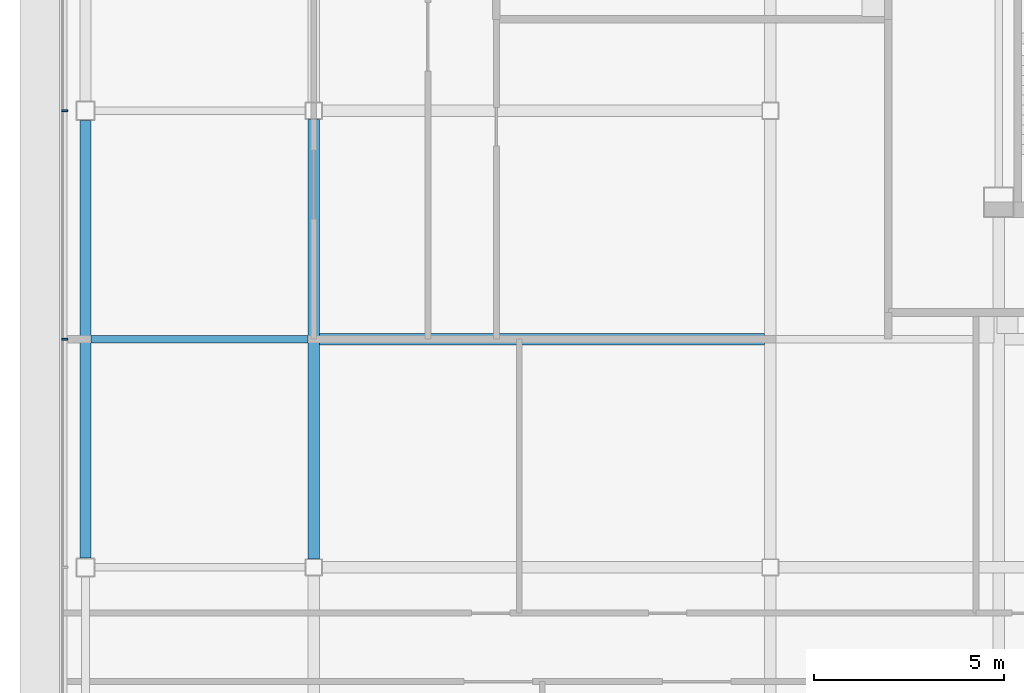
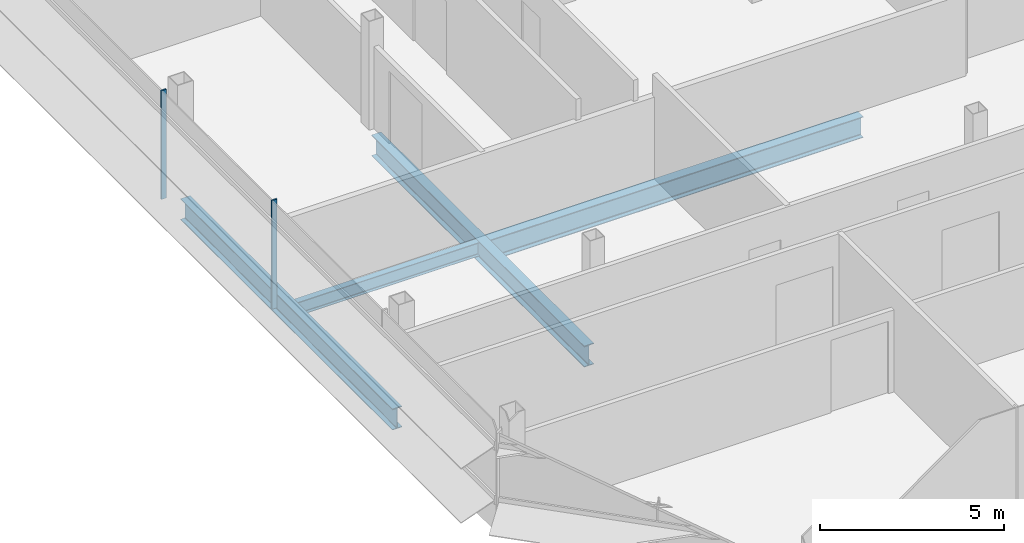
# One storey, part 6 of 27: 4 beams, 2 members, 1 element without a shape of its own.
"""IFC4 building model written with IfcOpenShell, lengths in metres."""

from ifc_helpers import new_model, si_unit, direction, frame, origin, origin_2d, place, context, subcontext, project, spatial, rectangle, i_section, extrude, material, material_profile, profile_set, type_object, element, aggregate, save


model = new_model("IFC4")

# Units and contexts
model_context = context("Model", 3, precision=1e-05, world=origin(), true_north=direction((0.0, 1.0)))
body_context = subcontext(model_context, "Body", "Model", "MODEL_VIEW")
ifc_project = project(units=[si_unit("LENGTHUNIT", "METRE"), si_unit("AREAUNIT", "SQUARE_METRE"), si_unit("VOLUMEUNIT", "CUBIC_METRE"), si_unit("PLANEANGLEUNIT", "RADIAN"), si_unit("MASSUNIT", "GRAM", prefix="KILO")], contexts=[model_context])

# Site, building, storey
site_placement = place(None, origin())
site = spatial("IfcSite", under=ifc_project, at=site_placement, CompositionType="ELEMENT")
building_placement = place(site_placement, origin())
building = spatial("IfcBuilding", under=site, at=building_placement, Name="Sorahane Residences", CompositionType="ELEMENT")
storey_placement = place(building_placement, frame((0.0, 0.0, 323.199951171875)))
storey = spatial("IfcBuildingStorey", under=building, at=storey_placement, Name="L77", CompositionType="ELEMENT", Elevation=323.199951171875)

# Curtain wall, members
ifc_material_1 = material(Name="Dark low-e glass and black anodised aluminium", Category="aluminium")
curtain_wall_type = type_object("IfcCurtainWallType", Name="Curtain wall CW-1 Typical unitised wall", PredefinedType="NOTDEFINED", material=ifc_material_1)
curtain_wall_placement = place(storey_placement, origin())
curtain_wall = element("IfcCurtainWall", 1, at=curtain_wall_placement, inside=storey, type_object=curtain_wall_type, Name="CW-1 curtain wall L77 W1", PredefinedType="NOTDEFINED")
ifc_material_2 = material(Name="Black anodised aluminium", Category="aluminium")
ifc_material_profile_1 = material_profile(ifc_material_2, rectangle(XDim=0.159912109375, YDim=0.050048828125, at=origin_2d()), Name="Curtain wall mullion CW-1 black anodised aluminium 50x160")
ifc_profile_set_1 = profile_set([ifc_material_profile_1], Name="Black anodised aluminium")
member_type = type_object("IfcMemberType", Name="Curtain wall mullion CW-1 black anodised aluminium 50x160", PredefinedType="MULLION", material=ifc_profile_set_1)
member_1_placement = place(storey_placement, frame((-18.5400390625, 24.0, -0.179931640625), z_axis=(0.0, 0.0, 1.0), x_axis=(-1.0, 0.0, 0.0)))
member_1 = element("IfcMember", 2, at=member_1_placement, type_object=member_type, Name="CW-1 mullion L77 W1.4", PredefinedType="MULLION", context=body_context, shape_type="SweptSolid", body=[
    extrude(rectangle(XDim=0.159912109375, YDim=0.050048828125, at=origin_2d()), origin(), (0.0, 0.0, 1.0), 3.60009765625),
])
member_2_placement = place(storey_placement, frame((-18.5400390625, 18.0, -0.179931640625), z_axis=(0.0, 0.0, 1.0), x_axis=(-1.0, 0.0, 0.0)))
member_2 = element("IfcMember", 3, at=member_2_placement, type_object=member_type, Name="CW-1 mullion L77 W1.5", PredefinedType="MULLION", context=body_context, shape_type="SweptSolid", body=[
    extrude(rectangle(XDim=0.159912109375, YDim=0.050048828125, at=origin_2d()), origin(), (0.0, 0.0, 1.0), 3.60009765625),
])
aggregate(curtain_wall, [member_1, member_2])

# Beams
ifc_material_3 = material(Name="Steel Q355B", Category="steel")
ifc_material_profile_2 = material_profile(ifc_material_3, i_section(OverallWidth=0.199951171875, OverallDepth=0.449951171875, WebThickness=0.009033203125, FlangeThickness=0.013916015625, FilletRadius=0.02001953125, at=origin_2d()), Name="HN 450x200x9x14")
ifc_profile_set_2 = profile_set([ifc_material_profile_2], Name="Steel Q355B")
beam_type_1 = type_object("IfcBeamType", Name="Steel floor beam HN 450x200x9x14 Q355B", PredefinedType="BEAM", material=ifc_profile_set_2)
beam_1_placement = place(storey_placement, frame((-17.85009765625, 18.0, -0.405029296875), z_axis=(1.0, 0.0, 0.0), x_axis=(0.0, 1.0, 0.0)))
element("IfcBeam", 4, at=beam_1_placement, inside=storey, type_object=beam_type_1, Name="Beam L77 076", PredefinedType="BEAM", context=body_context, shape_type="SweptSolid", body=[
    extrude(i_section(OverallWidth=0.199951171875, OverallDepth=0.449951171875, WebThickness=0.009033203125, FlangeThickness=0.013916015625, FilletRadius=0.02001953125, at=origin_2d()), origin(), (0.0, 0.0, 1.0), 5.7001953125),
])
ifc_material_4 = material(Name="Steel Q355B", Category="steel")
ifc_material_profile_3 = material_profile(ifc_material_4, i_section(OverallWidth=0.300048828125, OverallDepth=0.699951171875, WebThickness=0.012939453125, FlangeThickness=0.02392578125, FilletRadius=0.028076171875, at=origin_2d()), Name="HN 700x300x13x24")
ifc_profile_set_3 = profile_set([ifc_material_profile_3], Name="Steel Q355B")
beam_type_2 = type_object("IfcBeamType", Name="Steel floor beam HN 700x300x13x24 Q355B", PredefinedType="BEAM", material=ifc_profile_set_3)
beam_2_placement = place(storey_placement, frame((-18.0, 12.25, -0.530029296875), z_axis=(0.0, 1.0, 0.0), x_axis=(-1.0, 0.0, 0.0)))
element("IfcBeam", 5, at=beam_2_placement, inside=storey, type_object=beam_type_2, Name="Beam L77 021", PredefinedType="BEAM", context=body_context, shape_type="SweptSolid", body=[
    extrude(i_section(OverallWidth=0.300048828125, OverallDepth=0.699951171875, WebThickness=0.012939453125, FlangeThickness=0.02392578125, FilletRadius=0.028076171875, at=origin_2d()), origin(), (0.0, 0.0, 1.0), 11.5),
])
beam_3_placement = place(storey_placement, frame((-12.0, 12.22509765625, -0.530029296875), z_axis=(0.0, 1.0, 0.0), x_axis=(-1.0, 0.0, 0.0)))
element("IfcBeam", 6, at=beam_3_placement, inside=storey, type_object=beam_type_2, Name="Beam L77 025", PredefinedType="BEAM", context=body_context, shape_type="SweptSolid", body=[
    extrude(i_section(OverallWidth=0.300048828125, OverallDepth=0.699951171875, WebThickness=0.012939453125, FlangeThickness=0.02392578125, FilletRadius=0.028076171875, at=origin_2d()), origin(), (0.0, 0.0, 1.0), 11.5498046875),
])
beam_4_placement = place(storey_placement, frame((-11.85009765625, 18.0, -0.530029296875), z_axis=(1.0, 0.0, 0.0), x_axis=(0.0, 1.0, 0.0)))
element("IfcBeam", 7, at=beam_4_placement, inside=storey, type_object=beam_type_2, Name="Beam L77 077", PredefinedType="BEAM", context=body_context, shape_type="SweptSolid", body=[
    extrude(i_section(OverallWidth=0.300048828125, OverallDepth=0.699951171875, WebThickness=0.012939453125, FlangeThickness=0.02392578125, FilletRadius=0.028076171875, at=origin_2d()), origin(), (0.0, 0.0, 1.0), 11.7001953125),
])

save(model, "model.ifc")
